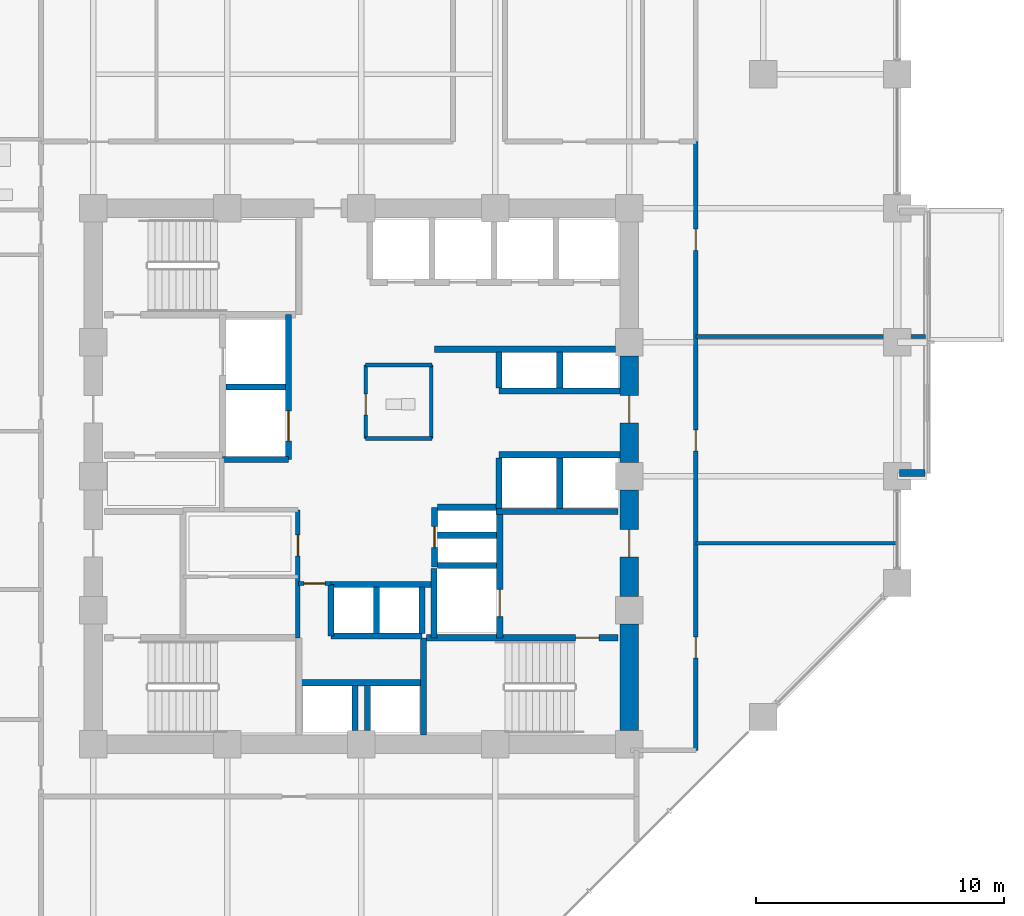
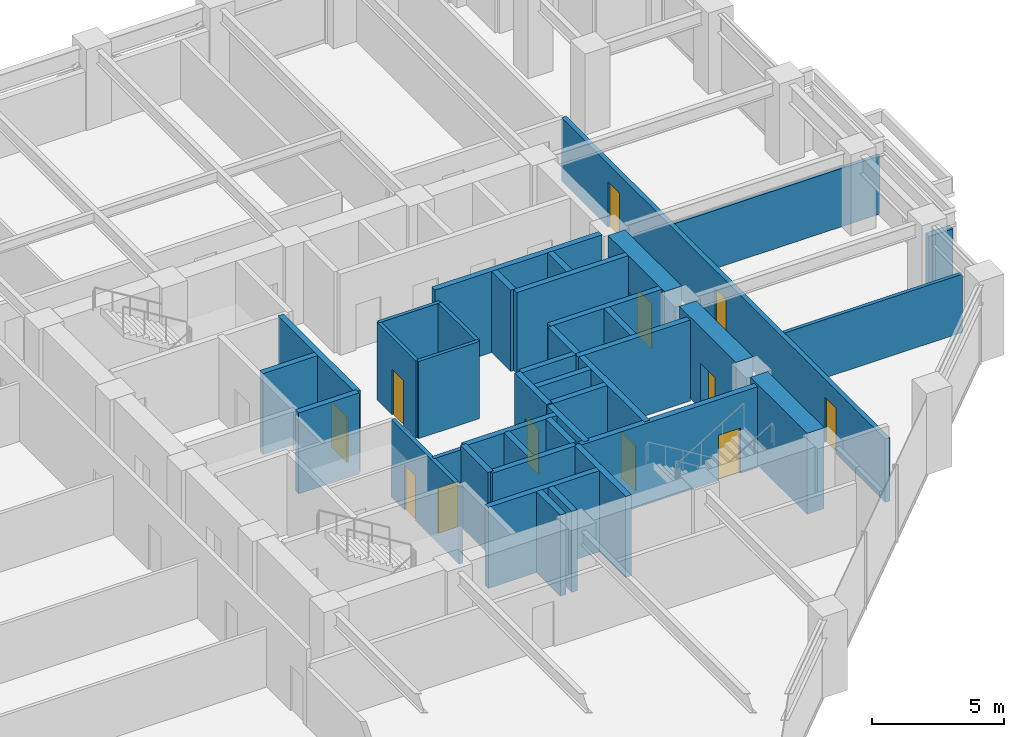
# One storey, part 20 of 25: 40 walls, 12 doors, 12 openings.
"""IFC4 building model written with IfcOpenShell, lengths in metres."""

from ifc_helpers import new_model, si_unit, direction, frame, frame_2d, origin, place, context, subcontext, project, spatial, rectangle, extrude, material, layer, layer_set, type_object, element, fill, save


model = new_model("IFC4")

# Units and contexts
model_context = context("Model", 3, precision=1e-05, world=origin(), true_north=direction((0.0, 1.0)))
body_context = subcontext(model_context, "Body", "Model", "MODEL_VIEW")
ifc_project = project(units=[si_unit("LENGTHUNIT", "METRE"), si_unit("AREAUNIT", "SQUARE_METRE"), si_unit("VOLUMEUNIT", "CUBIC_METRE"), si_unit("PLANEANGLEUNIT", "RADIAN"), si_unit("MASSUNIT", "GRAM", prefix="KILO")], contexts=[model_context])

# Site, building, storey
site_placement = place(None, origin())
site = spatial("IfcSite", under=ifc_project, at=site_placement, CompositionType="ELEMENT")
building_placement = place(site_placement, origin())
building = spatial("IfcBuilding", under=site, at=building_placement, Name="Surkhivell Harbour Commons", CompositionType="ELEMENT")
storey_placement = place(building_placement, frame((0.0, 0.0, 94.5)))
storey = spatial("IfcBuildingStorey", under=building, at=storey_placement, Name="L24", CompositionType="ELEMENT", Elevation=94.5)

# Wall
ifc_material_1 = material(Name="Concrete C60/75", Category="concrete")
ifc_layer_1 = layer(ifc_material_1, 0.75)
ifc_layer_set_1 = layer_set([ifc_layer_1], Name="Concrete C60/75")
wall_type_1 = type_object("IfcWallType", Name="WAL-CORE-750", PredefinedType="SHEAR", material=ifc_layer_set_1)
wall_1_placement = place(storey_placement, frame((10.800048828125, -10.239990234375, 0.0), z_axis=(0.0, 0.0, 1.0), x_axis=(0.0, 1.0, 0.0)))
element("IfcWall", 1, at=wall_1_placement, inside=storey, type_object=wall_type_1, Name="L24 Core Shear Wall East 1", PredefinedType="SHEAR", context=body_context, shape_type="SweptSolid", body=[
    extrude(rectangle(XDim=4.280029296875, YDim=0.75, at=frame_2d((2.14013671875, 0.0))), origin(), (0.0, 0.0, 1.0), 3.75),
])

# Wall, opening, door
wall_2_placement = place(storey_placement, frame((10.800048828125, -4.840087890625, 0.0), z_axis=(0.0, 0.0, 1.0), x_axis=(0.0, 1.0, 0.0)))
wall_2 = element("IfcWall", 2, at=wall_2_placement, inside=storey, type_object=wall_type_1, Name="L24 Core Shear Wall East 2", PredefinedType="SHEAR", context=body_context, shape_type="SweptSolid", body=[
    extrude(rectangle(XDim=4.280029296875, YDim=0.75, at=frame_2d((2.14013671875, 0.0))), origin(), (0.0, 0.0, 1.0), 3.75),
])
opening_1_placement = place(wall_2_placement, frame((1.590087890625, 0.0, 0.0)))
opening_1 = element("IfcOpeningElement", 3, at=opening_1_placement, cuts=wall_2, Name="Opening ID-1", PredefinedType="OPENING", context=body_context, shape_type="SweptSolid", body=[
    extrude(rectangle(XDim=1.10009765625, YDim=2.10009765625, at=frame_2d((0.550048828125, 1.050048828125))), frame((0.0, 0.385009765625, 0.0), z_axis=(0.0, -1.0, 0.0), x_axis=(1.0, 0.0, 0.0)), (0.0, 0.0, 1.0), 0.77001953125),
])
ifc_material_2 = material(Name="Hardwood-veneered fire-rated door leaf", Category="wood")
door_type_1 = type_object("IfcDoorType", Name="DOR-FD120-1100", OperationType="NOTDEFINED", PredefinedType="DOOR", material=ifc_material_2)
door_1_placement = place(opening_1_placement, origin())
door_1 = element("IfcDoor", 4, at=door_1_placement, inside=storey, type_object=door_type_1, Name="L24 Firefighting Lobby 2 Corridor Door", OperationType="SINGLE_SWING_RIGHT", OverallHeight=2.10009765625, OverallWidth=1.10009765625, PredefinedType="DOOR", context=body_context, shape_type="SweptSolid", body=[
    extrude(rectangle(XDim=1.10009765625, YDim=2.10009765625, at=frame_2d((0.550048828125, 1.050048828125))), frame((0.0, 0.02490234375, 0.0), z_axis=(0.0, -1.0, 0.0), x_axis=(1.0, 0.0, 0.0)), (0.0, 0.0, 1.0), 0.050048828125),
])
fill(opening_1, door_1)

wall_3_placement = place(storey_placement, frame((10.800048828125, 0.56005859375, 0.0), z_axis=(0.0, 0.0, 1.0), x_axis=(0.0, 1.0, 0.0)))
wall_3 = element("IfcWall", 5, at=wall_3_placement, inside=storey, type_object=wall_type_1, Name="L24 Core Shear Wall East 3", PredefinedType="SHEAR", context=body_context, shape_type="SweptSolid", body=[
    extrude(rectangle(XDim=4.280029296875, YDim=0.75, at=frame_2d((2.14013671875, 0.0))), origin(), (0.0, 0.0, 1.0), 3.75),
])
opening_2_placement = place(wall_3_placement, frame((1.590087890625, 0.0, 0.0)))
opening_2 = element("IfcOpeningElement", 6, at=opening_2_placement, cuts=wall_3, Name="Opening ID-2", PredefinedType="OPENING", context=body_context, shape_type="SweptSolid", body=[
    extrude(rectangle(XDim=1.10009765625, YDim=2.10009765625, at=frame_2d((0.550048828125, 1.050048828125))), frame((0.0, 0.385009765625, 0.0), z_axis=(0.0, -1.0, 0.0), x_axis=(1.0, 0.0, 0.0)), (0.0, 0.0, 1.0), 0.77001953125),
])
door_type_2 = type_object("IfcDoorType", Name="DOR-FD60-1100", OperationType="NOTDEFINED", PredefinedType="DOOR", material=ifc_material_2)
door_2_placement = place(opening_2_placement, origin())
door_2 = element("IfcDoor", 7, at=door_2_placement, inside=storey, type_object=door_type_2, Name="L24 Mid-Rise Lobby East Door", OperationType="SINGLE_SWING_LEFT", OverallHeight=2.10009765625, OverallWidth=1.10009765625, PredefinedType="DOOR", context=body_context, shape_type="SweptSolid", body=[
    extrude(rectangle(XDim=1.10009765625, YDim=2.10009765625, at=frame_2d((0.550048828125, 1.050048828125))), frame((0.0, 0.02490234375, 0.0), z_axis=(0.0, -1.0, 0.0), x_axis=(1.0, 0.0, 0.0)), (0.0, 0.0, 1.0), 0.050048828125),
])
fill(opening_2, door_2)

# Walls
ifc_material_3 = material(Name="Terracotta-clad reinforced concrete C45/55", Category="masonry")
ifc_layer_2 = layer(ifc_material_3, 0.280029296875)
ifc_layer_set_2 = layer_set([ifc_layer_2], Name="Terracotta-clad reinforced concrete C45/55")
wall_type_2 = type_object("IfcWallType", Name="WAL-EXT-TER280", PredefinedType="STANDARD", material=ifc_layer_set_2)
wall_4_placement = place(storey_placement, frame((21.679931640625, 0.139892578125, 0.0), z_axis=(0.0, 0.0, 1.0), x_axis=(1.0, 0.0, 0.0)))
element("IfcWall", 8, at=wall_4_placement, inside=storey, type_object=wall_type_2, Name="L24 Coloured Box Return Wall 01S", PredefinedType="STANDARD", context=body_context, shape_type="SweptSolid", body=[
    extrude(rectangle(XDim=1.0400390625, YDim=0.280029296875, at=frame_2d((0.52001953125, 0.0))), origin(), (0.0, 0.0, 1.0), 2.698974609375),
])
ifc_material_4 = material(Name="Twin-stud acoustic fireboard partition", Category="other")
ifc_layer_3 = layer(ifc_material_4, 0.14990234375)
ifc_layer_set_3 = layer_set([ifc_layer_3], Name="Twin-stud acoustic fireboard partition")
wall_type_3 = type_object("IfcWallType", Name="WAL-INT-150", PredefinedType="PARTITIONING", material=ifc_layer_set_3)
wall_5_placement = place(storey_placement, frame((2.820068359375, 1.52001953125, 0.0), z_axis=(0.0, 0.0, 1.0), x_axis=(0.0, 1.0, 0.0)))
element("IfcWall", 9, at=wall_5_placement, inside=storey, type_object=wall_type_3, Name="L24 Core Accessible WC East Wall", PredefinedType="PARTITIONING", context=body_context, shape_type="SweptSolid", body=[
    extrude(rectangle(XDim=2.9599609375, YDim=0.14990234375, at=frame_2d((1.47998046875, 0.0))), origin(), (0.0, 0.0, 1.0), 3.570068359375),
])
for number, where, z_axis, x_axis, name in (
    (10, (0.179931640625, 4.47998046875, 0.0), (0.0, 0.0, 1.0), (1.0, 0.0, 0.0), "L24 Core Accessible WC North Wall"),
    (11, (0.179931640625, 1.52001953125, 0.0), (0.0, 0.0, 1.0), (1.0, 0.0, 0.0), "L24 Core Accessible WC South Wall"),
):
    element("IfcWall", number, at=place(storey_placement, frame(where, z_axis=z_axis, x_axis=x_axis)), inside=storey, type_object=wall_type_3, Name=name, PredefinedType="PARTITIONING", context=body_context, shape_type="SweptSolid", body=[
        extrude(rectangle(XDim=2.670166015625, YDim=0.14990234375, at=frame_2d((1.3349609375, 0.0))), origin(), (0.0, 0.0, 1.0), 3.570068359375),
    ])

# Wall, opening, door
wall_6_placement = place(storey_placement, frame((0.179931640625, 1.52001953125, 0.0), z_axis=(0.0, 0.0, 1.0), x_axis=(0.0, 1.0, 0.0)))
wall_6 = element("IfcWall", 12, at=wall_6_placement, inside=storey, type_object=wall_type_3, Name="L24 Core Accessible WC West Wall", PredefinedType="PARTITIONING", context=body_context, shape_type="SweptSolid", body=[
    extrude(rectangle(XDim=2.9599609375, YDim=0.14990234375, at=frame_2d((1.47998046875, 0.0))), origin(), (0.0, 0.0, 1.0), 3.570068359375),
])
opening_3_placement = place(wall_6_placement, frame((0.949951171875, 0.0, 0.0)))
opening_3 = element("IfcOpeningElement", 13, at=opening_3_placement, cuts=wall_6, Name="Opening ID-6", PredefinedType="OPENING", context=body_context, shape_type="SweptSolid", body=[
    extrude(rectangle(XDim=0.85009765625, YDim=2.10009765625, at=frame_2d((0.425048828125, 1.050048828125))), frame((0.0, 0.0849609375, 0.0), z_axis=(0.0, -1.0, 0.0), x_axis=(1.0, 0.0, 0.0)), (0.0, 0.0, 1.0), 0.169921875),
])
door_type_3 = type_object("IfcDoorType", Name="DOR-FD30-850", OperationType="NOTDEFINED", PredefinedType="DOOR", material=ifc_material_2)
door_3_placement = place(opening_3_placement, origin())
door_3 = element("IfcDoor", 14, at=door_3_placement, inside=storey, type_object=door_type_3, Name="L24 Floor Accessible WC Door", OperationType="SINGLE_SWING_RIGHT", OverallHeight=2.10009765625, OverallWidth=0.85009765625, PredefinedType="DOOR", context=body_context, shape_type="SweptSolid", body=[
    extrude(rectangle(XDim=0.85009765625, YDim=2.10009765625, at=frame_2d((0.425048828125, 1.050048828125))), frame((0.0, 0.02490234375, 0.0), z_axis=(0.0, -1.0, 0.0), x_axis=(1.0, 0.0, 0.0)), (0.0, 0.0, 1.0), 0.050048828125),
])
fill(opening_3, door_3)

# Walls
wall_7_placement = place(storey_placement, frame((13.47998046875, -2.699951171875, 0.0), z_axis=(0.0, 0.0, 1.0), x_axis=(1.0, 0.0, 0.0)))
element("IfcWall", 15, at=wall_7_placement, inside=storey, type_object=wall_type_3, Name="L24 East Partition P1", PredefinedType="PARTITIONING", context=body_context, shape_type="SweptSolid", body=[
    extrude(rectangle(XDim=8.06005859375, YDim=0.14990234375, at=frame_2d((4.030029296875, 0.0))), origin(), (0.0, 0.0, 1.0), 2.698974609375),
])
wall_8_placement = place(storey_placement, frame((13.47998046875, 5.6298828125, 0.0), z_axis=(0.0, 0.0, 1.0), x_axis=(1.0, 0.0, 0.0)))
element("IfcWall", 16, at=wall_8_placement, inside=storey, type_object=wall_type_3, Name="L24 East Partition P2", PredefinedType="PARTITIONING", context=body_context, shape_type="SweptSolid", body=[
    extrude(rectangle(XDim=9.260009765625, YDim=0.14990234375, at=frame_2d((4.6298828125, 0.0))), origin(), (0.0, 0.0, 1.0), 2.698974609375),
])

# Wall, opening, door
ifc_material_5 = material(Name="High-density acoustic blockwork fire partition", Category="masonry")
ifc_layer_4 = layer(ifc_material_5, 0.175048828125)
ifc_layer_set_4 = layer_set([ifc_layer_4], Name="High-density acoustic blockwork fire partition")
wall_type_4 = type_object("IfcWallType", Name="WAL-INT-175", PredefinedType="PARTITIONING", material=ifc_layer_set_4)
wall_9_placement = place(storey_placement, frame((-2.550048828125, -6.510009765625, 0.0), z_axis=(0.0, 0.0, 1.0), x_axis=(0.0, 1.0, 0.0)))
wall_9 = element("IfcWall", 17, at=wall_9_placement, inside=storey, type_object=wall_type_4, Name="L24 Core Service Bay East Wall", PredefinedType="PARTITIONING", context=body_context, shape_type="SweptSolid", body=[
    extrude(rectangle(XDim=5.159912109375, YDim=0.175048828125, at=frame_2d((2.580078125, 0.0))), origin(), (0.0, 0.0, 1.0), 3.570068359375),
])
opening_4_placement = place(wall_9_placement, frame((3.300048828125, 0.0, 0.0)))
opening_4 = element("IfcOpeningElement", 18, at=opening_4_placement, cuts=wall_9, Name="Opening ID-6", PredefinedType="OPENING", context=body_context, shape_type="SweptSolid", body=[
    extrude(rectangle(XDim=0.85009765625, YDim=2.10009765625, at=frame_2d((0.425048828125, 1.050048828125))), frame((0.0, 0.097412109375, 0.0), z_axis=(0.0, -1.0, 0.0), x_axis=(1.0, 0.0, 0.0)), (0.0, 0.0, 1.0), 0.195068359375),
])
door_4_placement = place(opening_4_placement, origin())
door_4 = element("IfcDoor", 19, at=door_4_placement, inside=storey, type_object=door_type_3, Name="L24 Core Reading Alcove Door", OperationType="SINGLE_SWING_LEFT", OverallHeight=2.10009765625, OverallWidth=0.85009765625, PredefinedType="DOOR", context=body_context, shape_type="SweptSolid", body=[
    extrude(rectangle(XDim=0.85009765625, YDim=2.10009765625, at=frame_2d((0.425048828125, 1.050048828125))), frame((0.0, 0.02490234375, 0.0), z_axis=(0.0, -1.0, 0.0), x_axis=(1.0, 0.0, 0.0)), (0.0, 0.0, 1.0), 0.050048828125),
])
fill(opening_4, door_4)

wall_10_placement = place(storey_placement, frame((-2.52001953125, -4.320068359375, 0.0), z_axis=(0.0, 0.0, 1.0), x_axis=(1.0, 0.0, 0.0)))
wall_10 = element("IfcWall", 20, at=wall_10_placement, inside=storey, type_object=wall_type_4, Name="L24 High-Rise Lobby North Portal Wall", PredefinedType="PARTITIONING", context=body_context, shape_type="SweptSolid", body=[
    extrude(rectangle(XDim=1.300048828125, YDim=0.175048828125, at=frame_2d((0.64990234375, 0.0))), origin(), (0.0, 0.0, 1.0), 3.570068359375),
])
opening_5_placement = place(wall_10_placement, frame((0.219970703125, 0.0, 0.0)))
opening_5 = element("IfcOpeningElement", 21, at=opening_5_placement, cuts=wall_10, Name="Opening ID-6", PredefinedType="OPENING", context=body_context, shape_type="SweptSolid", body=[
    extrude(rectangle(XDim=0.85009765625, YDim=2.10009765625, at=frame_2d((0.425048828125, 1.050048828125))), frame((0.0, 0.097412109375, 0.0), z_axis=(0.0, -1.0, 0.0), x_axis=(1.0, 0.0, 0.0)), (0.0, 0.0, 1.0), 0.195068359375),
])
door_5_placement = place(opening_5_placement, origin())
door_5 = element("IfcDoor", 22, at=door_5_placement, inside=storey, type_object=door_type_3, Name="L24 High-Rise Lift Lobby North Door", OperationType="SINGLE_SWING_LEFT", OverallHeight=2.10009765625, OverallWidth=0.85009765625, PredefinedType="DOOR", context=body_context, shape_type="SweptSolid", body=[
    extrude(rectangle(XDim=0.85009765625, YDim=2.10009765625, at=frame_2d((0.425048828125, 1.050048828125))), frame((0.0, 0.02490234375, 0.0), z_axis=(0.0, -1.0, 0.0), x_axis=(1.0, 0.0, 0.0)), (0.0, 0.0, 1.0), 0.050048828125),
])
fill(opening_5, door_5)

# Wall, openings, doors
ifc_material_6 = material(Name="Autoclaved aerated concrete blockwork and fire plaster", Category="masonry")
ifc_layer_5 = layer(ifc_material_6, 0.199951171875)
ifc_layer_set_5 = layer_set([ifc_layer_5], Name="Autoclaved aerated concrete blockwork and fire plaster")
wall_type_5 = type_object("IfcWallType", Name="WAL-INT-200", PredefinedType="PARTITIONING", material=ifc_layer_set_5)
wall_11_placement = place(storey_placement, frame((13.47998046875, -11.0400390625, 0.0), z_axis=(0.0, 0.0, 1.0), x_axis=(0.0, 1.0, 0.0)))
wall_11 = element("IfcWall", 23, at=wall_11_placement, inside=storey, type_object=wall_type_5, Name="L24 Corridor East Wall", PredefinedType="PARTITIONING", context=body_context, shape_type="SweptSolid", body=[
    extrude(rectangle(XDim=24.52001953125, YDim=0.199951171875, at=frame_2d((12.260009765625, 0.0))), origin(), (0.0, 0.0, 1.0), 2.93310546875),
])
opening_6_placement = place(wall_11_placement, frame((3.719970703125, 0.0, 0.0)))
opening_6 = element("IfcOpeningElement", 24, at=opening_6_placement, cuts=wall_11, Name="Opening ID-6", PredefinedType="OPENING", context=body_context, shape_type="SweptSolid", body=[
    extrude(rectangle(XDim=0.85009765625, YDim=2.10009765625, at=frame_2d((0.425048828125, 1.050048828125))), frame((0.0, 0.10986328125, 0.0), z_axis=(0.0, -1.0, 0.0), x_axis=(1.0, 0.0, 0.0)), (0.0, 0.0, 1.0), 0.219970703125),
])
opening_7_placement = place(wall_11_placement, frame((12.054931640625, 0.0, 0.0)))
opening_7 = element("IfcOpeningElement", 25, at=opening_7_placement, cuts=wall_11, Name="Opening ID-6", PredefinedType="OPENING", context=body_context, shape_type="SweptSolid", body=[
    extrude(rectangle(XDim=0.85009765625, YDim=2.10009765625, at=frame_2d((0.425048828125, 1.050048828125))), frame((0.0, 0.10986328125, 0.0), z_axis=(0.0, -1.0, 0.0), x_axis=(1.0, 0.0, 0.0)), (0.0, 0.0, 1.0), 0.219970703125),
])
opening_8_placement = place(wall_11_placement, frame((20.14501953125, 0.0, 0.0)))
opening_8 = element("IfcOpeningElement", 26, at=opening_8_placement, cuts=wall_11, Name="Opening ID-6", PredefinedType="OPENING", context=body_context, shape_type="SweptSolid", body=[
    extrude(rectangle(XDim=0.85009765625, YDim=2.10009765625, at=frame_2d((0.425048828125, 1.050048828125))), frame((0.0, 0.10986328125, 0.0), z_axis=(0.0, -1.0, 0.0), x_axis=(1.0, 0.0, 0.0)), (0.0, 0.0, 1.0), 0.219970703125),
])
door_6_placement = place(opening_6_placement, origin())
door_6 = element("IfcDoor", 27, at=door_6_placement, inside=storey, type_object=door_type_3, Name="L24 Academic Seminar Room 1 East Door", OperationType="SINGLE_SWING_RIGHT", OverallHeight=2.10009765625, OverallWidth=0.85009765625, PredefinedType="DOOR", context=body_context, shape_type="SweptSolid", body=[
    extrude(rectangle(XDim=0.85009765625, YDim=2.10009765625, at=frame_2d((0.425048828125, 1.050048828125))), frame((0.0, 0.02490234375, 0.0), z_axis=(0.0, -1.0, 0.0), x_axis=(1.0, 0.0, 0.0)), (0.0, 0.0, 1.0), 0.050048828125),
])
fill(opening_6, door_6)
door_7_placement = place(opening_7_placement, origin())
door_7 = element("IfcDoor", 28, at=door_7_placement, inside=storey, type_object=door_type_3, Name="L24 Academic Seminar Room 2 East Door", OperationType="SINGLE_SWING_LEFT", OverallHeight=2.10009765625, OverallWidth=0.85009765625, PredefinedType="DOOR", context=body_context, shape_type="SweptSolid", body=[
    extrude(rectangle(XDim=0.85009765625, YDim=2.10009765625, at=frame_2d((0.425048828125, 1.050048828125))), frame((0.0, 0.02490234375, 0.0), z_axis=(0.0, -1.0, 0.0), x_axis=(1.0, 0.0, 0.0)), (0.0, 0.0, 1.0), 0.050048828125),
])
fill(opening_7, door_7)
door_8_placement = place(opening_8_placement, origin())
door_8 = element("IfcDoor", 29, at=door_8_placement, inside=storey, type_object=door_type_3, Name="L24 Academic Seminar Room 3 East Door", OperationType="SINGLE_SWING_RIGHT", OverallHeight=2.10009765625, OverallWidth=0.85009765625, PredefinedType="DOOR", context=body_context, shape_type="SweptSolid", body=[
    extrude(rectangle(XDim=0.85009765625, YDim=2.10009765625, at=frame_2d((0.425048828125, 1.050048828125))), frame((0.0, 0.02490234375, 0.0), z_axis=(0.0, -1.0, 0.0), x_axis=(1.0, 0.0, 0.0)), (0.0, 0.0, 1.0), 0.050048828125),
])
fill(opening_8, door_8)

# Walls
ifc_material_7 = material(Name="Concrete C50/60", Category="concrete")
ifc_layer_6 = layer(ifc_material_7, 0.25)
ifc_layer_set_6 = layer_set([ifc_layer_6], Name="Concrete C50/60")
wall_type_6 = type_object("IfcWallType", Name="WAL-SHAFT-250", PredefinedType="SHEAR", material=ifc_layer_set_6)
wall_12_placement = place(storey_placement, frame((2.929931640625, -6.510009765625, 0.0), z_axis=(0.0, 0.0, 1.0), x_axis=(0.0, 1.0, 0.0)))
element("IfcWall", 30, at=wall_12_placement, inside=storey, type_object=wall_type_6, Name="L24 FFL2 West Shaft Wall", PredefinedType="SHEAR", context=body_context, shape_type="SweptSolid", body=[
    extrude(rectangle(XDim=2.7900390625, YDim=0.25, at=frame_2d((1.39501953125, 0.0))), origin(), (0.0, 0.0, 1.0), 3.75),
])
wall_13_placement = place(storey_placement, frame((5.43994140625, -1.419921875, 0.0), z_axis=(0.0, 0.0, 1.0), x_axis=(1.0, 0.0, 0.0)))
element("IfcWall", 31, at=wall_13_placement, inside=storey, type_object=wall_type_6, Name="L24 Firefighting Lobby 2 North Wall", PredefinedType="SHEAR", context=body_context, shape_type="SweptSolid", body=[
    extrude(rectangle(XDim=4.900146484375, YDim=0.25, at=frame_2d((2.4501953125, 0.0))), origin(), (0.0, 0.0, 1.0), 3.75),
])
wall_14_placement = place(storey_placement, frame((3.080078125, -3.60009765625, 0.0), z_axis=(0.0, 0.0, 1.0), x_axis=(1.0, 0.0, 0.0)))
element("IfcWall", 32, at=wall_14_placement, inside=storey, type_object=wall_type_6, Name="L24 FFL2 North Shaft Wall", PredefinedType="SHEAR", context=body_context, shape_type="SweptSolid", body=[
    extrude(rectangle(XDim=2.369873046875, YDim=0.25, at=frame_2d((1.18505859375, 0.0))), origin(), (0.0, 0.0, 1.0), 3.75),
])

# Wall, opening, door
wall_15_placement = place(storey_placement, frame((5.580078125, -6.510009765625, 0.0), z_axis=(0.0, 0.0, 1.0), x_axis=(0.0, 1.0, 0.0)))
wall_15 = element("IfcWall", 33, at=wall_15_placement, inside=storey, type_object=wall_type_6, Name="L24 Firefighting Lobby 2 West Shaft Wall", PredefinedType="SHEAR", context=body_context, shape_type="SweptSolid", body=[
    extrude(rectangle(XDim=5.090087890625, YDim=0.25, at=frame_2d((2.544921875, 0.0))), origin(), (0.0, 0.0, 1.0), 3.75),
])
opening_9_placement = place(wall_15_placement, frame((0.85009765625, 0.0, 0.0)))
opening_9 = element("IfcOpeningElement", 34, at=opening_9_placement, cuts=wall_15, Name="Opening LD-1", PredefinedType="OPENING", context=body_context, shape_type="SweptSolid", body=[
    extrude(rectangle(XDim=1.10009765625, YDim=2.10009765625, at=frame_2d((0.550048828125, 1.050048828125))), frame((0.0, 0.135009765625, 0.0), z_axis=(0.0, -1.0, 0.0), x_axis=(1.0, 0.0, 0.0)), (0.0, 0.0, 1.0), 0.27001953125),
])
ifc_material_8 = material(Name="Brushed stainless steel S355", Category="steel")
door_type_4 = type_object("IfcDoorType", Name="DOR-LD-1100", OperationType="SLIDING_TO_LEFT", PredefinedType="DOOR", material=ifc_material_8)
door_9_placement = place(opening_9_placement, origin())
door_9 = element("IfcDoor", 35, at=door_9_placement, inside=storey, type_object=door_type_4, Name="L24 Lift Landing Door LD-FFL2", OperationType="SLIDING_TO_RIGHT", OverallHeight=2.10009765625, OverallWidth=1.10009765625, PredefinedType="DOOR", context=body_context, shape_type="SweptSolid", body=[
    extrude(rectangle(XDim=1.10009765625, YDim=2.10009765625, at=frame_2d((0.550048828125, 1.050048828125))), frame((0.0, 0.02490234375, 0.0), z_axis=(0.0, -1.0, 0.0), x_axis=(1.0, 0.0, 0.0)), (0.0, 0.0, 1.0), 0.050048828125),
])
fill(opening_9, door_9)

# Walls
for number, where, z_axis, x_axis, name in (
    (36, (0.6201171875, -6.340087890625, 0.0), (0.0, 0.0, 1.0), (0.0, 1.0, 0.0), "L24 High-Rise Side Wall N"),
    (37, (2.449951171875, -6.340087890625, 0.0), (0.0, 0.0, 1.0), (0.0, 1.0, 0.0), "L24 High-Rise Side Wall N"),
):
    element("IfcWall", number, at=place(storey_placement, frame(where, z_axis=z_axis, x_axis=x_axis)), inside=storey, type_object=wall_type_6, Name=name, PredefinedType="SHEAR", context=body_context, shape_type="SweptSolid", body=[
        extrude(rectangle(XDim=1.880126953125, YDim=0.25, at=frame_2d((0.93994140625, 0.0))), origin(), (0.0, 0.0, 1.0), 3.75),
    ])
for number, where, z_axis, x_axis, name in (
    (38, (-0.25, -10.25, 0.0), (0.0, 0.0, 1.0), (0.0, 1.0, 0.0), "L24 High-Rise Side Wall S"),
    (39, (0.25, -10.25, 0.0), (0.0, 0.0, 1.0), (0.0, 1.0, 0.0), "L24 High-Rise Side Wall S"),
):
    element("IfcWall", number, at=place(storey_placement, frame(where, z_axis=z_axis, x_axis=x_axis)), inside=storey, type_object=wall_type_6, Name=name, PredefinedType="SHEAR", context=body_context, shape_type="SweptSolid", body=[
        extrude(rectangle(XDim=1.81005859375, YDim=0.25, at=frame_2d((0.905029296875, 0.0))), origin(), (0.0, 0.0, 1.0), 3.75),
    ])
wall_16_placement = place(storey_placement, frame((-1.219970703125, -6.43994140625, 0.0), z_axis=(0.0, 0.0, 1.0), x_axis=(0.0, 1.0, 0.0)))
element("IfcWall", 40, at=wall_16_placement, inside=storey, type_object=wall_type_6, Name="L24 High-Rise Passage East Shaft Wall", PredefinedType="SHEAR", context=body_context, shape_type="SweptSolid", body=[
    extrude(rectangle(XDim=2.079833984375, YDim=0.25, at=frame_2d((1.0400390625, 0.0))), origin(), (0.0, 0.0, 1.0), 3.75),
])
wall_17_placement = place(storey_placement, frame((-1.219970703125, -6.43994140625, 0.0), z_axis=(0.0, 0.0, 1.0), x_axis=(1.0, 0.0, 0.0)))
element("IfcWall", 41, at=wall_17_placement, inside=storey, type_object=wall_type_6, Name="L24 High-Rise North Front Shaft Wall", PredefinedType="SHEAR", context=body_context, shape_type="SweptSolid", body=[
    extrude(rectangle(XDim=3.669921875, YDim=0.25, at=frame_2d((1.8349609375, 0.0))), origin(), (0.0, 0.0, 1.0), 3.75),
])
wall_18_placement = place(storey_placement, frame((-2.47998046875, -8.320068359375, 0.0), z_axis=(0.0, 0.0, 1.0), x_axis=(1.0, 0.0, 0.0)))
element("IfcWall", 42, at=wall_18_placement, inside=storey, type_object=wall_type_6, Name="L24 High-Rise South Front Shaft Wall", PredefinedType="SHEAR", context=body_context, shape_type="SweptSolid", body=[
    extrude(rectangle(XDim=4.929931640625, YDim=0.25, at=frame_2d((2.46484375, 0.0))), origin(), (0.0, 0.0, 1.0), 3.75),
])
wall_19_placement = place(storey_placement, frame((-1.219970703125, -4.360107421875, 0.0), z_axis=(0.0, 0.0, 1.0), x_axis=(1.0, 0.0, 0.0)))
element("IfcWall", 43, at=wall_19_placement, inside=storey, type_object=wall_type_6, Name="L24 High-Rise North Back Shaft Wall", PredefinedType="SHEAR", context=body_context, shape_type="SweptSolid", body=[
    extrude(rectangle(XDim=4.030029296875, YDim=0.25, at=frame_2d((2.01513671875, 0.0))), origin(), (0.0, 0.0, 1.0), 3.75),
])
wall_20_placement = place(storey_placement, frame((2.949951171875, 5.1201171875, 0.0), z_axis=(0.0, 0.0, 1.0), x_axis=(1.0, 0.0, 0.0)))
element("IfcWall", 44, at=wall_20_placement, inside=storey, type_object=wall_type_6, Name="L24 Low-Rise Lobby South Wall", PredefinedType="SHEAR", context=body_context, shape_type="SweptSolid", body=[
    extrude(rectangle(XDim=7.300048828125, YDim=0.25, at=frame_2d((3.64990234375, 0.0))), origin(), (0.0, 0.0, 1.0), 3.75),
])
for number, where, z_axis, x_axis, name in (
    (45, (5.550048828125, 3.550048828125, 0.0), (0.0, 0.0, 1.0), (0.0, 1.0, 0.0), "L24 Mid-Rise Shaft Side Wall N"),
    (46, (8.0, 3.550048828125, 0.0), (0.0, 0.0, 1.0), (0.0, 1.0, 0.0), "L24 Mid-Rise Shaft Side Wall N"),
):
    element("IfcWall", number, at=place(storey_placement, frame(where, z_axis=z_axis, x_axis=x_axis)), inside=storey, type_object=wall_type_6, Name=name, PredefinedType="SHEAR", context=body_context, shape_type="SweptSolid", body=[
        extrude(rectangle(XDim=1.449951171875, YDim=0.25, at=frame_2d((0.72509765625, 0.0))), origin(), (0.0, 0.0, 1.0), 3.75),
    ])
for number, where, z_axis, x_axis, name in (
    (47, (5.550048828125, -1.300048828125, 0.0), (0.0, 0.0, 1.0), (0.0, 1.0, 0.0), "L24 Mid-Rise Shaft Side Wall S"),
    (48, (8.0, -1.300048828125, 0.0), (0.0, 0.0, 1.0), (0.0, 1.0, 0.0), "L24 Mid-Rise Shaft Side Wall S"),
):
    element("IfcWall", number, at=place(storey_placement, frame(where, z_axis=z_axis, x_axis=x_axis)), inside=storey, type_object=wall_type_6, Name=name, PredefinedType="SHEAR", context=body_context, shape_type="SweptSolid", body=[
        extrude(rectangle(XDim=2.0400390625, YDim=0.25, at=frame_2d((1.02001953125, 0.0))), origin(), (0.0, 0.0, 1.0), 3.75),
    ])
for number, where, z_axis, x_axis, name in (
    (49, (5.550048828125, 3.429931640625, 0.0), (0.0, 0.0, 1.0), (1.0, 0.0, 0.0), "L24 Mid-Rise North Front Shaft Wall"),
    (50, (5.550048828125, 0.8701171875, 0.0), (0.0, 0.0, 1.0), (1.0, 0.0, 0.0), "L24 Mid-Rise South Front Shaft Wall"),
):
    element("IfcWall", number, at=place(storey_placement, frame(where, z_axis=z_axis, x_axis=x_axis)), inside=storey, type_object=wall_type_6, Name=name, PredefinedType="SHEAR", context=body_context, shape_type="SweptSolid", body=[
        extrude(rectangle(XDim=4.875, YDim=0.25, at=frame_2d((2.4375, 0.0))), origin(), (0.0, 0.0, 1.0), 3.75),
    ])
for number, where, z_axis, x_axis, name in (
    (51, (3.080078125, -2.3798828125, 0.0), (0.0, 0.0, 1.0), (1.0, 0.0, 0.0), "L24 Riser Divider Wall"),
    (52, (3.080078125, -1.25, 0.0), (0.0, 0.0, 1.0), (1.0, 0.0, 0.0), "L24 Riser North Wall"),
):
    element("IfcWall", number, at=place(storey_placement, frame(where, z_axis=z_axis, x_axis=x_axis)), inside=storey, type_object=wall_type_6, Name=name, PredefinedType="SHEAR", context=body_context, shape_type="SweptSolid", body=[
        extrude(rectangle(XDim=2.369873046875, YDim=0.25, at=frame_2d((1.18505859375, 0.0))), origin(), (0.0, 0.0, 1.0), 3.75),
    ])

# Wall, opening, door
wall_21_placement = place(storey_placement, frame((2.949951171875, -3.64990234375, 0.0), z_axis=(0.0, 0.0, 1.0), x_axis=(0.0, 1.0, 0.0)))
wall_21 = element("IfcWall", 53, at=wall_21_placement, inside=storey, type_object=wall_type_6, Name="L24 Riser Shaft West Wall", PredefinedType="SHEAR", context=body_context, shape_type="SweptSolid", body=[
    extrude(rectangle(XDim=2.39990234375, YDim=0.25, at=frame_2d((1.199951171875, 0.0))), origin(), (0.0, 0.0, 1.0), 3.75),
])
opening_10_placement = place(wall_21_placement, frame((0.77490234375, 0.0, 0.0)))
opening_10 = element("IfcOpeningElement", 54, at=opening_10_placement, cuts=wall_21, Name="Opening ID-6", PredefinedType="OPENING", context=body_context, shape_type="SweptSolid", body=[
    extrude(rectangle(XDim=0.85009765625, YDim=2.10009765625, at=frame_2d((0.425048828125, 1.050048828125))), frame((0.0, 0.135009765625, 0.0), z_axis=(0.0, -1.0, 0.0), x_axis=(1.0, 0.0, 0.0)), (0.0, 0.0, 1.0), 0.27001953125),
])
door_10_placement = place(opening_10_placement, origin())
door_10 = element("IfcDoor", 55, at=door_10_placement, inside=storey, type_object=door_type_3, Name="L24 Electrical Riser Access Door", OperationType="SINGLE_SWING_LEFT", OverallHeight=2.10009765625, OverallWidth=0.85009765625, PredefinedType="DOOR", context=body_context, shape_type="SweptSolid", body=[
    extrude(rectangle(XDim=0.85009765625, YDim=2.10009765625, at=frame_2d((0.425048828125, 1.050048828125))), frame((0.0, 0.02490234375, 0.0), z_axis=(0.0, -1.0, 0.0), x_axis=(1.0, 0.0, 0.0)), (0.0, 0.0, 1.0), 0.050048828125),
])
fill(opening_10, door_10)

wall_22_placement = place(storey_placement, frame((2.639892578125, -6.510009765625, 0.0), z_axis=(0.0, 0.0, 1.0), x_axis=(1.0, 0.0, 0.0)))
wall_22 = element("IfcWall", 56, at=wall_22_placement, inside=storey, type_object=wall_type_6, Name="L24 Stair ST2 North Shear Wall", PredefinedType="SHEAR", context=body_context, shape_type="SweptSolid", body=[
    extrude(rectangle(XDim=7.7001953125, YDim=0.25, at=frame_2d((3.85009765625, 0.0))), origin(), (0.0, 0.0, 1.0), 3.75),
])
opening_11_placement = place(wall_22_placement, frame((6.0, 0.0, 0.0)))
opening_11 = element("IfcOpeningElement", 57, at=opening_11_placement, cuts=wall_22, Name="Opening ID-4", PredefinedType="OPENING", context=body_context, shape_type="SweptSolid", body=[
    extrude(rectangle(XDim=0.949951171875, YDim=2.10009765625, at=frame_2d((0.47509765625, 1.050048828125))), frame((0.0, 0.135009765625, 0.0), z_axis=(0.0, -1.0, 0.0), x_axis=(1.0, 0.0, 0.0)), (0.0, 0.0, 1.0), 0.27001953125),
])
door_type_5 = type_object("IfcDoorType", Name="DOR-FD60-950", OperationType="NOTDEFINED", PredefinedType="DOOR", material=ifc_material_2)
door_11_placement = place(opening_11_placement, origin())
door_11 = element("IfcDoor", 58, at=door_11_placement, inside=storey, type_object=door_type_5, Name="L24 Stair ST2 Exit Door", OperationType="SINGLE_SWING_RIGHT", OverallHeight=2.10009765625, OverallWidth=0.949951171875, PredefinedType="DOOR", context=body_context, shape_type="SweptSolid", body=[
    extrude(rectangle(XDim=0.949951171875, YDim=2.10009765625, at=frame_2d((0.47509765625, 1.050048828125))), frame((0.0, 0.02490234375, 0.0), z_axis=(0.0, -1.0, 0.0), x_axis=(1.0, 0.0, 0.0)), (0.0, 0.0, 1.0), 0.050048828125),
])
fill(opening_11, door_11)

# Wall
wall_23_placement = place(storey_placement, frame((2.510009765625, -10.425048828125, 0.0), z_axis=(0.0, 0.0, 1.0), x_axis=(0.0, 1.0, 0.0)))
element("IfcWall", 59, at=wall_23_placement, inside=storey, type_object=wall_type_6, Name="L24 Stair ST2 West Shear Wall", PredefinedType="SHEAR", context=body_context, shape_type="SweptSolid", body=[
    extrude(rectangle(XDim=3.9150390625, YDim=0.25, at=frame_2d((1.95751953125, 0.0))), origin(), (0.0, 0.0, 1.0), 3.75),
])

# Wall, opening, door
wall_24_placement = place(storey_placement, frame((-2.929931640625, 0.679931640625, 0.0), z_axis=(0.0, 0.0, 1.0), x_axis=(0.0, 1.0, 0.0)))
wall_24 = element("IfcWall", 60, at=wall_24_placement, inside=storey, type_object=wall_type_6, Name="L24 Service and Fire Lift East Shaft Wall", PredefinedType="SHEAR", context=body_context, shape_type="SweptSolid", body=[
    extrude(rectangle(XDim=5.830078125, YDim=0.25, at=frame_2d((2.9150390625, 0.0))), origin(), (0.0, 0.0, 1.0), 3.75),
])
opening_12_placement = place(wall_24_placement, frame((0.75, 0.0, 0.0)))
opening_12 = element("IfcOpeningElement", 61, at=opening_12_placement, cuts=wall_24, Name="Opening LD-2", PredefinedType="OPENING", context=body_context, shape_type="SweptSolid", body=[
    extrude(rectangle(XDim=1.199951171875, YDim=2.10009765625, at=frame_2d((0.60009765625, 1.050048828125))), frame((0.0, 0.135009765625, 0.0), z_axis=(0.0, -1.0, 0.0), x_axis=(1.0, 0.0, 0.0)), (0.0, 0.0, 1.0), 0.27001953125),
])
door_type_6 = type_object("IfcDoorType", Name="DOR-LD-1200", OperationType="SLIDING_TO_LEFT", PredefinedType="DOOR", material=ifc_material_8)
door_12_placement = place(opening_12_placement, origin())
door_12 = element("IfcDoor", 62, at=door_12_placement, inside=storey, type_object=door_type_6, Name="L24 Lift Landing Door LD-SVL1", OperationType="SLIDING_TO_LEFT", OverallHeight=2.10009765625, OverallWidth=1.199951171875, PredefinedType="DOOR", context=body_context, shape_type="SweptSolid", body=[
    extrude(rectangle(XDim=1.199951171875, YDim=2.10009765625, at=frame_2d((0.60009765625, 1.050048828125))), frame((0.0, 0.02490234375, 0.0), z_axis=(0.0, -1.0, 0.0), x_axis=(1.0, 0.0, 0.0)), (0.0, 0.0, 1.0), 0.050048828125),
])
fill(opening_12, door_12)

# Walls
wall_25_placement = place(storey_placement, frame((-5.449951171875, 3.60009765625, 0.0), z_axis=(0.0, 0.0, 1.0), x_axis=(1.0, 0.0, 0.0)))
element("IfcWall", 63, at=wall_25_placement, inside=storey, type_object=wall_type_6, Name="L24 FFL1/SVL1 Shaft Divider", PredefinedType="SHEAR", context=body_context, shape_type="SweptSolid", body=[
    extrude(rectangle(XDim=2.389892578125, YDim=0.25, at=frame_2d((1.19482421875, 0.0))), origin(), (0.0, 0.0, 1.0), 3.75),
])
wall_26_placement = place(storey_placement, frame((-5.580078125, 0.679931640625, 0.0), z_axis=(0.0, 0.0, 1.0), x_axis=(1.0, 0.0, 0.0)))
element("IfcWall", 64, at=wall_26_placement, inside=storey, type_object=wall_type_6, Name="L24 SVL1 South Shaft Wall", PredefinedType="SHEAR", context=body_context, shape_type="SweptSolid", body=[
    extrude(rectangle(XDim=2.650146484375, YDim=0.25, at=frame_2d((1.3251953125, 0.0))), origin(), (0.0, 0.0, 1.0), 3.75),
])

save(model, "model.ifc")
